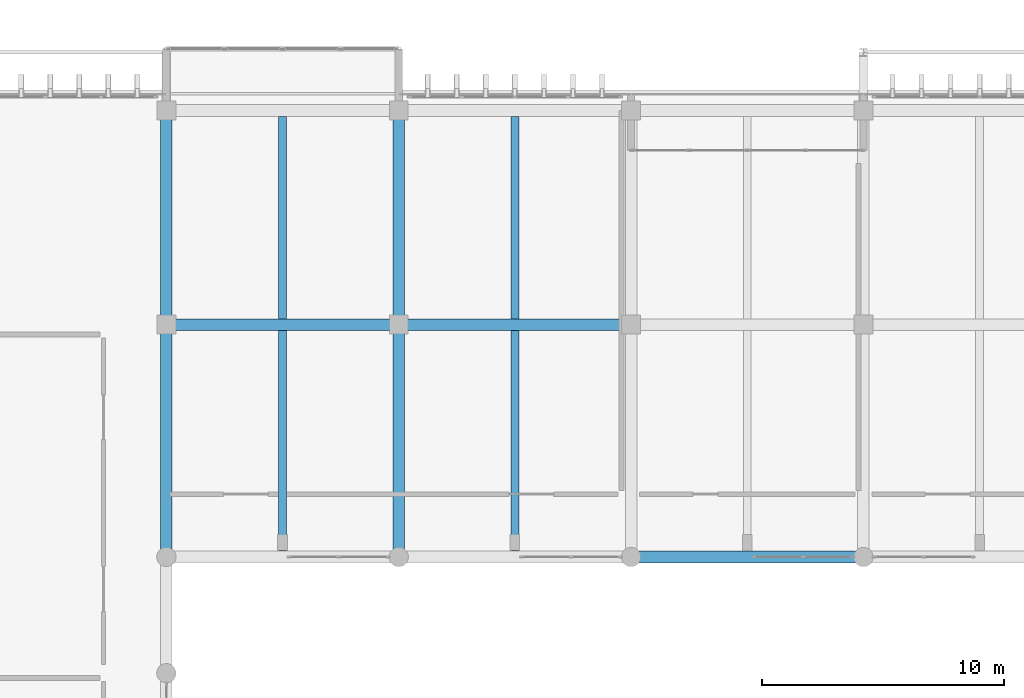
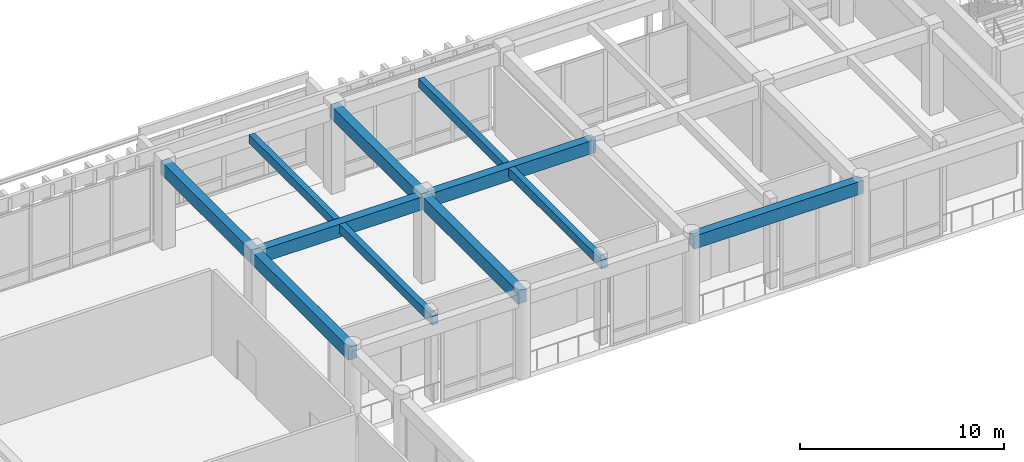
# One storey, part 41 of 134: 11 beams.
"""IFC4 building model written with IfcOpenShell, lengths in metres."""

from ifc_helpers import new_model, si_unit, direction, frame, origin, origin_2d, place, context, subcontext, project, spatial, rectangle, extrude, material, material_profile, profile_set, type_object, element, save


model = new_model("IFC4")

# Units and contexts
model_context = context("Model", 3, precision=1e-05, world=origin(), true_north=direction((0.0, 1.0)))
body_context = subcontext(model_context, "Body", "Model", "MODEL_VIEW")
ifc_project = project(units=[si_unit("LENGTHUNIT", "METRE"), si_unit("AREAUNIT", "SQUARE_METRE"), si_unit("VOLUMEUNIT", "CUBIC_METRE"), si_unit("PLANEANGLEUNIT", "RADIAN"), si_unit("MASSUNIT", "GRAM", prefix="KILO")], contexts=[model_context])

# Site, building, storey
site_placement = place(None, origin())
site = spatial("IfcSite", under=ifc_project, at=site_placement, CompositionType="ELEMENT")
building_placement = place(site_placement, origin())
building = spatial("IfcBuilding", under=site, at=building_placement, Name="Nakhvara Creek Congress Hotel", CompositionType="ELEMENT")
storey_placement = place(building_placement, frame((0.0, 0.0, 6.0)))
storey = spatial("IfcBuildingStorey", under=building, at=storey_placement, Name="L01", CompositionType="ELEMENT", Elevation=6.0)

# Beams
ifc_material = material(Name="Concrete C40/50", Category="concrete")
ifc_material_profile_1 = material_profile(ifc_material, rectangle(XDim=0.320068359375, YDim=0.52001953125, at=origin_2d()), Name="RC-BM 320x520", Category="LoadBearing")
ifc_profile_set_1 = profile_set([ifc_material_profile_1], Name="Concrete C40/50")
beam_type_1 = type_object("IfcBeamType", Name="BM-RC-320X520", PredefinedType="JOIST", material=ifc_profile_set_1)
beam_1_placement = place(storey_placement, frame((81.60009765625, 77.0400390625, 4.840087890625), z_axis=(0.0, 1.0, 0.0), x_axis=(-1.0, 0.0, 0.0)))
element("IfcBeam", 1, at=beam_1_placement, inside=storey, type_object=beam_type_1, Name="Secondary Joist BJ2-L01-1368", PredefinedType="JOIST", context=body_context, shape_type="SweptSolid", body=[
    extrude(rectangle(XDim=0.320068359375, YDim=0.52001953125, at=origin_2d()), origin(), (0.0, 0.0, 1.0), 9.119873046875),
])
beam_2_placement = place(storey_placement, frame((81.60009765625, 86.639892578125, 4.840087890625), z_axis=(0.0, 1.0, 0.0), x_axis=(-1.0, 0.0, 0.0)))
element("IfcBeam", 2, at=beam_2_placement, inside=storey, type_object=beam_type_1, Name="Secondary Joist BJ2-L01-1369", PredefinedType="JOIST", context=body_context, shape_type="SweptSolid", body=[
    extrude(rectangle(XDim=0.320068359375, YDim=0.52001953125, at=origin_2d()), origin(), (0.0, 0.0, 1.0), 8.3701171875),
])
beam_3_placement = place(storey_placement, frame((91.199951171875, 77.0400390625, 4.840087890625), z_axis=(0.0, 1.0, 0.0), x_axis=(-1.0, 0.0, 0.0)))
element("IfcBeam", 3, at=beam_3_placement, inside=storey, type_object=beam_type_1, Name="Secondary Joist BJ2-L01-1372", PredefinedType="JOIST", context=body_context, shape_type="SweptSolid", body=[
    extrude(rectangle(XDim=0.320068359375, YDim=0.52001953125, at=origin_2d()), origin(), (0.0, 0.0, 1.0), 9.119873046875),
])
beam_4_placement = place(storey_placement, frame((91.199951171875, 86.639892578125, 4.840087890625), z_axis=(0.0, 1.0, 0.0), x_axis=(-1.0, 0.0, 0.0)))
element("IfcBeam", 4, at=beam_4_placement, inside=storey, type_object=beam_type_1, Name="Secondary Joist BJ2-L01-1373", PredefinedType="JOIST", context=body_context, shape_type="SweptSolid", body=[
    extrude(rectangle(XDim=0.320068359375, YDim=0.52001953125, at=origin_2d()), origin(), (0.0, 0.0, 1.0), 8.3701171875),
])
ifc_material_profile_2 = material_profile(ifc_material, rectangle(XDim=0.47998046875, YDim=0.780029296875, at=origin_2d()), Name="RC-BM 480x780", Category="LoadBearing")
ifc_profile_set_2 = profile_set([ifc_material_profile_2], Name="Concrete C40/50")
beam_type_2 = type_object("IfcBeamType", Name="BM-RC-480X780", PredefinedType="BEAM", material=ifc_profile_set_2)
beam_5_placement = place(storey_placement, frame((76.800048828125, 76.800048828125, 4.7099609375), z_axis=(0.0, 1.0, 0.0), x_axis=(-1.0, 0.0, 0.0)))
element("IfcBeam", 5, at=beam_5_placement, inside=storey, type_object=beam_type_2, Name="Beam B13-L01-1159", PredefinedType="BEAM", context=body_context, shape_type="SweptSolid", body=[
    extrude(rectangle(XDim=0.47998046875, YDim=0.780029296875, at=origin_2d()), origin(), (0.0, 0.0, 1.0), 9.599853515625),
])
beam_6_placement = place(storey_placement, frame((76.800048828125, 86.39990234375, 4.7099609375), z_axis=(0.0, 1.0, 0.0), x_axis=(-1.0, 0.0, 0.0)))
element("IfcBeam", 6, at=beam_6_placement, inside=storey, type_object=beam_type_2, Name="Beam B13-L01-1161", PredefinedType="BEAM", context=body_context, shape_type="SweptSolid", body=[
    extrude(rectangle(XDim=0.47998046875, YDim=0.780029296875, at=origin_2d()), origin(), (0.0, 0.0, 1.0), 8.85009765625),
])
for number, where, z_axis, x_axis, name in (
    (7, (76.800048828125, 86.39990234375, 4.7099609375), (1.0, 0.0, 0.0), (0.0, 1.0, 0.0), "Beam B13-L01-1162"),
    (8, (86.39990234375, 76.800048828125, 4.7099609375), (0.0, 1.0, 0.0), (-1.0, 0.0, 0.0), "Beam B13-L01-1172"),
):
    element("IfcBeam", number, at=place(storey_placement, frame(where, z_axis=z_axis, x_axis=x_axis)), inside=storey, type_object=beam_type_2, Name=name, PredefinedType="BEAM", context=body_context, shape_type="SweptSolid", body=[
        extrude(rectangle(XDim=0.47998046875, YDim=0.780029296875, at=origin_2d()), origin(), (0.0, 0.0, 1.0), 9.599853515625),
    ])
beam_7_placement = place(storey_placement, frame((86.39990234375, 86.39990234375, 4.7099609375), z_axis=(0.0, 1.0, 0.0), x_axis=(-1.0, 0.0, 0.0)))
element("IfcBeam", 9, at=beam_7_placement, inside=storey, type_object=beam_type_2, Name="Beam B13-L01-1174", PredefinedType="BEAM", context=body_context, shape_type="SweptSolid", body=[
    extrude(rectangle(XDim=0.47998046875, YDim=0.780029296875, at=origin_2d()), origin(), (0.0, 0.0, 1.0), 8.85009765625),
])
for number, where, z_axis, x_axis, name in (
    (10, (86.39990234375, 86.39990234375, 4.7099609375), (1.0, 0.0, 0.0), (0.0, 1.0, 0.0), "Beam B13-L01-1175"),
    (11, (96.0, 76.800048828125, 4.7099609375), (1.0, 0.0, 0.0), (0.0, 1.0, 0.0), "Beam B13-L01-1186"),
):
    element("IfcBeam", number, at=place(storey_placement, frame(where, z_axis=z_axis, x_axis=x_axis)), inside=storey, type_object=beam_type_2, Name=name, PredefinedType="BEAM", context=body_context, shape_type="SweptSolid", body=[
        extrude(rectangle(XDim=0.47998046875, YDim=0.780029296875, at=origin_2d()), origin(), (0.0, 0.0, 1.0), 9.60009765625),
    ])

save(model, "model.ifc")
